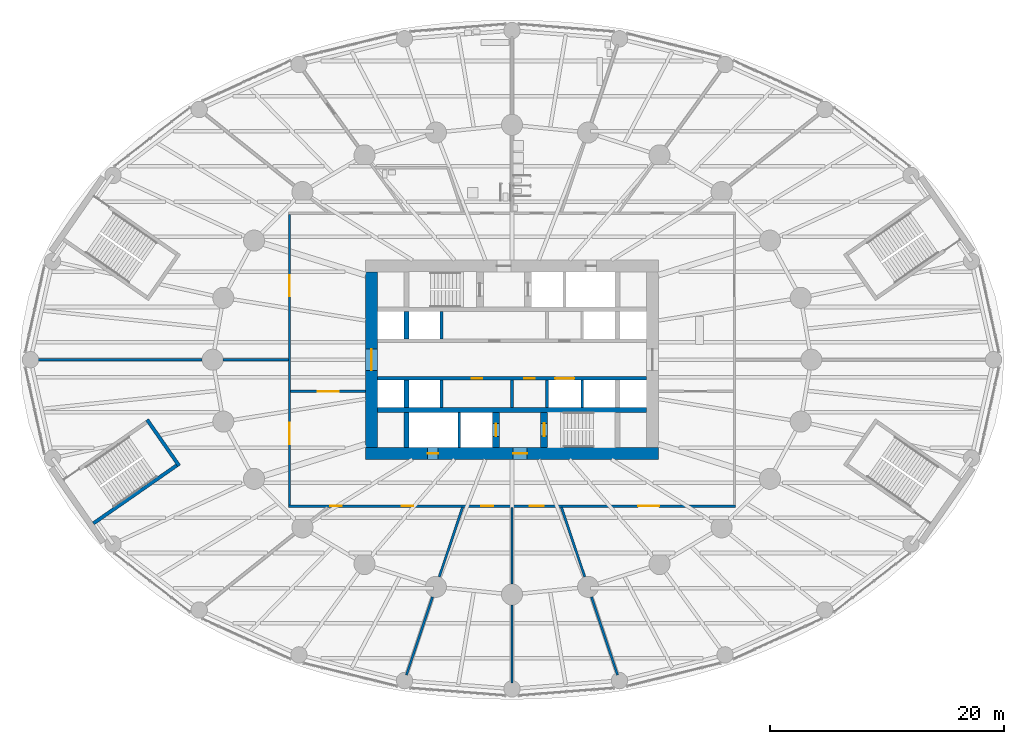
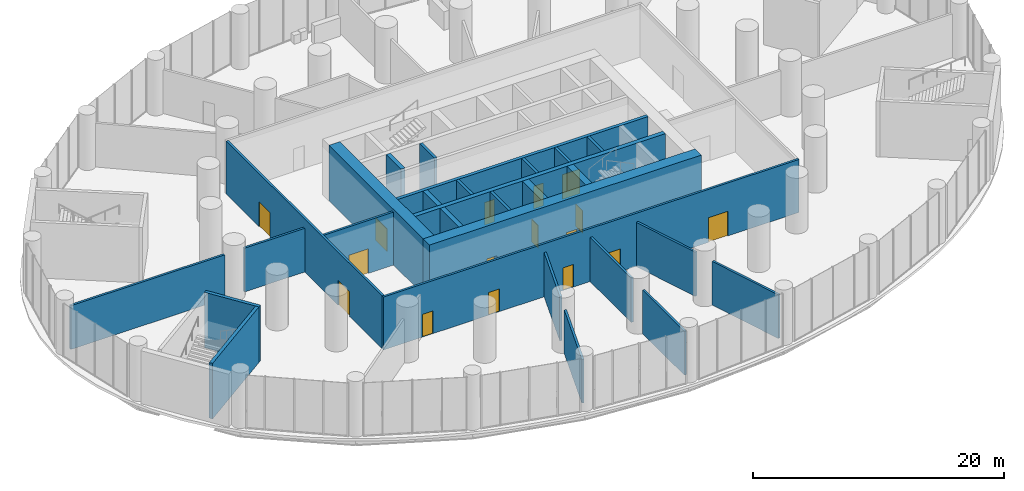
# One storey, part 16 of 23: 28 walls, 16 doors, 16 openings.
"""IFC4 building model written with IfcOpenShell, lengths in metres."""

import ifcopenshell
import ifcopenshell.guid

model = None  # the IFC model being written
_history = None  # IfcOwnerHistory: only IFC2X3 demands one
_inside = {}  # id of a spatial element -> (the spatial element, [elements in it])
_under = {}  # id of a project, library or spatial element -> (it, [spatial elements below it])
_declared = {}  # id of a project -> (the project, [libraries it declares])
_typed = {}  # id of a type object -> (the type object, [elements of that type])
_made_of = {}  # id of a material, layer set ... -> (it, [elements and type objects made of it])


def new_model(schema):
    """Start an empty IFC model of exactly this schema.

    Asked for "IFC4X3", IfcOpenShell would pick the latest addendum, in which some entities
    have other attributes; the version numbers below select the first issue.
    IFC2X3 requires an IfcOwnerHistory on every rooted entity: one is made here for all.
    """
    global model, _history
    if schema == "IFC4X3":
        model = ifcopenshell.file(schema_version=(4, 3, 0, 0))
    else:
        model = ifcopenshell.file(schema=schema)
    _inside.clear()
    _under.clear()
    _declared.clear()
    _typed.clear()
    _made_of.clear()
    _history = None
    if model.schema == "IFC2X3":
        org = make("IfcOrganization", Name="unknown")
        user = make(
            "IfcPersonAndOrganization",
            ThePerson=make("IfcPerson", FamilyName="unknown"),
            TheOrganization=org,
        )
        app = make(
            "IfcApplication",
            ApplicationDeveloper=org,
            Version="unknown",
            ApplicationFullName="unknown",
            ApplicationIdentifier="unknown",
        )
        _history = make(
            "IfcOwnerHistory",
            OwningUser=user,
            OwningApplication=app,
            ChangeAction="ADDED",
            CreationDate=0,
        )
    return model


def make(cls, **values):
    """One entity of the class cls with the attributes given. An attribute that is None is left unset."""
    return model.create_entity(
        cls, **{name: value for name, value in values.items() if value is not None}
    )


def rooted(cls, **values):
    """An entity with a GlobalId (a new one), such as an element, a storey or a relation."""
    return make(cls, GlobalId=ifcopenshell.guid.new(), OwnerHistory=_history, **values)


def si_unit(unit_type, name, prefix=None):
    """IfcSIUnit, for example si_unit("LENGTHUNIT", "METRE", prefix="MILLI")."""
    return make("IfcSIUnit", UnitType=unit_type, Prefix=prefix, Name=name)


def assignment(units):
    """IfcUnitAssignment: the units of a project."""
    return None if units is None else make("IfcUnitAssignment", Units=units)


def point(xyz):
    """IfcCartesianPoint."""
    return None if xyz is None else make("IfcCartesianPoint", Coordinates=xyz)


def direction(xyz):
    """IfcDirection."""
    return None if xyz is None else make("IfcDirection", DirectionRatios=xyz)


def frame(location, z_axis=None, x_axis=None):
    """IfcAxis2Placement3D, a coordinate frame: its origin and axes. An axis left out is left unset."""
    return make(
        "IfcAxis2Placement3D",
        Location=point(location),
        Axis=direction(z_axis),
        RefDirection=direction(x_axis),
    )


def frame_2d(location, x_axis=None):
    """IfcAxis2Placement2D, a coordinate frame in the plane: its origin and x axis."""
    return make(
        "IfcAxis2Placement2D", Location=point(location), RefDirection=direction(x_axis)
    )


def origin():
    """The frame at (0, 0, 0) with its axes left unset."""
    return frame((0.0, 0.0, 0.0))


def place(relative_to, where):
    """IfcLocalPlacement: puts the frame where relative to a parent placement (None: the world)."""
    return make(
        "IfcLocalPlacement", PlacementRelTo=relative_to, RelativePlacement=where
    )


def context(
    kind, dimensions, precision=None, world=None, true_north=None, identifier=None
):
    """IfcGeometricRepresentationContext, for example the 3D "Model" context."""
    return make(
        "IfcGeometricRepresentationContext",
        ContextIdentifier=identifier,
        ContextType=kind,
        CoordinateSpaceDimension=dimensions,
        Precision=precision,
        WorldCoordinateSystem=world,
        TrueNorth=true_north,
    )


def subcontext(parent, identifier, kind, view, scale=None):
    """IfcGeometricRepresentationSubContext, for example "Body" below "Model"."""
    return make(
        "IfcGeometricRepresentationSubContext",
        ContextIdentifier=identifier,
        ContextType=kind,
        ParentContext=parent,
        TargetScale=scale,
        TargetView=view,
    )


def project(units=None, contexts=None):
    """IfcProject with its units and contexts."""
    return rooted(
        "IfcProject",
        Name="project",
        RepresentationContexts=contexts,
        UnitsInContext=assignment(units),
    )


def spatial(cls, under=None, at=None, **own):
    """A site, building, storey or space (cls), placed at a placement, below another one or the project."""
    s = rooted(cls, ObjectPlacement=at, **own)
    if under is not None:
        _under.setdefault(under.id(), (under, []))[1].append(s)
    return s


def profile(cls, at=None, kind="AREA", **sizes):
    """A parametric profile (cls). Its sizes go by their IFC names, for example OverallWidth=200.0."""
    return make(cls, ProfileType=kind, Position=at, **sizes)


def rectangle(**sizes):
    """IfcRectangleProfileDef."""
    return profile("IfcRectangleProfileDef", **sizes)


def extrude(swept, where, along, depth):
    """IfcExtrudedAreaSolid: the profile swept, set in the frame where, extruded along a direction by depth."""
    return make(
        "IfcExtrudedAreaSolid",
        SweptArea=swept,
        Position=where,
        ExtrudedDirection=direction(along),
        Depth=depth,
    )


def shape(context_of_items, identifier, shape_type, items):
    """IfcShapeRepresentation: the items that make up one representation, for example the "Body"."""
    return make(
        "IfcShapeRepresentation",
        ContextOfItems=context_of_items,
        RepresentationIdentifier=identifier,
        RepresentationType=shape_type,
        Items=items,
    )


def material(Name=None, Category=None):
    """IfcMaterial."""
    return make("IfcMaterial", Name=Name, Category=Category)


def layer(
    of_material, thickness, ventilated=None, Name=None, Category=None, Priority=None
):
    """IfcMaterialLayer: one layer of a wall or slab, of a material (None: an air gap)."""
    return make(
        "IfcMaterialLayer",
        Material=of_material,
        LayerThickness=thickness,
        IsVentilated=ventilated,
        Name=Name,
        Category=Category,
        Priority=Priority,
    )


def layer_set(layers, Name=None):
    """IfcMaterialLayerSet."""
    return make("IfcMaterialLayerSet", MaterialLayers=layers, LayerSetName=Name)


def made_of(thing, what):
    """Note that an element or type object is made of a material, layer set ...; save() writes the relation."""
    if what is not None:
        _made_of.setdefault(what.id(), (what, []))[1].append(thing)
    return thing


def type_object(cls, material=None, **own):
    """A type object (cls), such as IfcWallType, which elements share."""
    return made_of(rooted(cls, **own), material)


def element(
    cls,
    number,
    at=None,
    inside=None,
    cuts=None,
    type_object=None,
    material=None,
    context=None,
    identifier="Body",
    shape_type=None,
    held_by="IfcProductDefinitionShape",
    body=None,
    shapes=None,
    **own,
):
    """One element of the class cls, such as IfcWall. Its Tag is "e" and its number.

    at: its placement. inside: the storey or other place that contains it. cuts: it is an
    opening in that element (IfcRelVoidsElement). A single representation is given by context,
    identifier, shape_type and body (its items); several are given by shapes. held_by: the class
    of the entity that holds the representations. save() writes the other relations.
    """
    e = rooted(cls, Tag="e%d" % number, ObjectPlacement=at, **own)
    if body is not None:
        shapes = [shape(context, identifier, shape_type, body)]
    if shapes is not None:
        e.Representation = make(held_by, Representations=shapes)
    if inside is not None:
        _inside.setdefault(inside.id(), (inside, []))[1].append(e)
    if cuts is not None:
        rooted(
            "IfcRelVoidsElement", RelatingBuildingElement=cuts, RelatedOpeningElement=e
        )
    if type_object is not None:
        _typed.setdefault(type_object.id(), (type_object, []))[1].append(e)
    return made_of(e, material)


def fill(opening, filler):
    """IfcRelFillsElement: the door or window that sits in an opening."""
    return rooted(
        "IfcRelFillsElement",
        RelatingOpeningElement=opening,
        RelatedBuildingElement=filler,
    )


def aggregate(whole, parts):
    """IfcRelAggregates: a whole, such as a stair, and the parts it consists of."""
    return rooted("IfcRelAggregates", RelatingObject=whole, RelatedObjects=parts)


def save(model, path):
    """Write the relations noted so far, then the file.

    IfcRelAggregates (storeys below a building ...), IfcRelContainedInSpatialStructure (elements
    in a storey), IfcRelDefinesByType, IfcRelAssociatesMaterial and IfcRelDeclares: one each for
    every whole, place, type object, material and project.
    """
    for whole, parts in _under.values():
        aggregate(whole, parts)
    for where, things in _inside.values():
        rooted(
            "IfcRelContainedInSpatialStructure",
            RelatedElements=things,
            RelatingStructure=where,
        )
    for kind, things in _typed.values():
        rooted("IfcRelDefinesByType", RelatedObjects=things, RelatingType=kind)
    for what, things in _made_of.values():
        rooted("IfcRelAssociatesMaterial", RelatedObjects=things, RelatingMaterial=what)
    for by, libraries in _declared.values():
        rooted("IfcRelDeclares", RelatingContext=by, RelatedDefinitions=libraries)
    model.write(path)


model = new_model("IFC4")

# Units and contexts
model_context = context("Model", 3, precision=1e-05, world=origin(), true_north=direction((0.0, 1.0)))
body_context = subcontext(model_context, "Body", "Model", "MODEL_VIEW")
ifc_project = project(units=[si_unit("LENGTHUNIT", "METRE"), si_unit("AREAUNIT", "SQUARE_METRE"), si_unit("VOLUMEUNIT", "CUBIC_METRE"), si_unit("PLANEANGLEUNIT", "RADIAN"), si_unit("MASSUNIT", "GRAM", prefix="KILO")], contexts=[model_context])

# Site, building, storey
site_placement = place(None, origin())
site = spatial("IfcSite", under=ifc_project, at=site_placement, CompositionType="ELEMENT")
building_placement = place(site_placement, origin())
building = spatial("IfcBuilding", under=site, at=building_placement, Name="Hankou Lantern Tower", CompositionType="ELEMENT")
storey_placement = place(building_placement, frame((0.0, 0.0, 19.199951171875)))
storey = spatial("IfcBuildingStorey", under=building, at=storey_placement, Name="L03", CompositionType="ELEMENT", Elevation=19.199951171875)

# Wall, openings, doors
ifc_material_1 = material(Name="Concrete C60", Category="concrete")
ifc_layer_1 = layer(ifc_material_1, 1.0)
ifc_layer_set_1 = layer_set([ifc_layer_1], Name="Concrete C60")
wall_type_1 = type_object("IfcWallType", Name="CW1 CORE WALL 1000", PredefinedType="SHEAR", material=ifc_layer_set_1)
wall_1_placement = place(storey_placement, frame((12.5, -8.0, 0.0), z_axis=(0.0, 0.0, 1.0), x_axis=(-1.0, 0.0, 0.0)))
wall_1 = element("IfcWall", 1, at=wall_1_placement, inside=storey, type_object=wall_type_1, Name="Core wall south L03", PredefinedType="SHEAR", context=body_context, shape_type="SweptSolid", body=[
    extrude(rectangle(XDim=25.0, YDim=1.0, at=frame_2d((12.5, 0.0))), origin(), (0.0, 0.0, 1.0), 5.400146484375),
])
opening_1_placement = place(wall_1_placement, frame((11.199951171875, 0.0, 0.0)))
opening_1 = element("IfcOpeningElement", 2, at=opening_1_placement, cuts=wall_1, Name="Opening D5", PredefinedType="OPENING", context=body_context, shape_type="SweptSolid", body=[
    extrude(rectangle(XDim=1.199951171875, YDim=2.199951171875, at=frame_2d((0.60009765625, 1.10009765625))), frame((0.0, 0.510009765625, 0.0), z_axis=(0.0, -1.0, 0.0), x_axis=(1.0, 0.0, 0.0)), (0.0, 0.0, 1.0), 1.02001953125),
])
opening_2_placement = place(wall_1_placement, frame((18.800048828125, 0.0, 0.0)))
opening_2 = element("IfcOpeningElement", 3, at=opening_2_placement, cuts=wall_1, Name="Opening D7", PredefinedType="OPENING", context=body_context, shape_type="SweptSolid", body=[
    extrude(rectangle(XDim=0.89990234375, YDim=2.199951171875, at=frame_2d((0.449951171875, 1.10009765625))), frame((0.0, 0.510009765625, 0.0), z_axis=(0.0, -1.0, 0.0), x_axis=(1.0, 0.0, 0.0)), (0.0, 0.0, 1.0), 1.02001953125),
])
ifc_material_2 = material(Name="Steel door leaf", Category="steel")
door_type_1 = type_object("IfcDoorType", Name="D5 STAIR LOBBY DOOR 1200X2200", OperationType="SINGLE_SWING_LEFT", PredefinedType="DOOR", material=ifc_material_2)
door_1_placement = place(opening_1_placement, origin())
door_1 = element("IfcDoor", 4, at=door_1_placement, inside=storey, type_object=door_type_1, Name="Stair B lobby door", OperationType="SINGLE_SWING_LEFT", OverallHeight=2.199951171875, OverallWidth=1.199951171875, PredefinedType="DOOR", context=body_context, shape_type="SweptSolid", body=[
    extrude(rectangle(XDim=1.199951171875, YDim=2.199951171875, at=frame_2d((0.60009765625, 1.10009765625))), frame((0.0, 0.02490234375, 0.0), z_axis=(0.0, -1.0, 0.0), x_axis=(1.0, 0.0, 0.0)), (0.0, 0.0, 1.0), 0.050048828125),
])
fill(opening_1, door_1)
ifc_material_3 = material(Name="Steel door leaf", Category="steel")
door_type_2 = type_object("IfcDoorType", Name="D7 RISER DOOR 900X2200", OperationType="SINGLE_SWING_LEFT", PredefinedType="DOOR", material=ifc_material_3)
door_2_placement = place(opening_2_placement, origin())
door_2 = element("IfcDoor", 5, at=door_2_placement, inside=storey, type_object=door_type_2, Name="Riser S1 door", OperationType="SINGLE_SWING_RIGHT", OverallHeight=2.199951171875, OverallWidth=0.89990234375, PredefinedType="DOOR", context=body_context, shape_type="SweptSolid", body=[
    extrude(rectangle(XDim=0.89990234375, YDim=2.199951171875, at=frame_2d((0.449951171875, 1.10009765625))), frame((0.0, 0.02490234375, 0.0), z_axis=(0.0, -1.0, 0.0), x_axis=(1.0, 0.0, 0.0)), (0.0, 0.0, 1.0), 0.050048828125),
])
fill(opening_2, door_2)

# Wall, opening, door
wall_2_placement = place(storey_placement, frame((-12.0, 7.5, 0.0), z_axis=(0.0, 0.0, 1.0), x_axis=(0.0, -1.0, 0.0)))
wall_2 = element("IfcWall", 6, at=wall_2_placement, inside=storey, type_object=wall_type_1, Name="Core wall west L03", PredefinedType="SHEAR", context=body_context, shape_type="SweptSolid", body=[
    extrude(rectangle(XDim=15.0, YDim=1.0, at=frame_2d((7.5, 0.0))), origin(), (0.0, 0.0, 1.0), 5.400146484375),
])
opening_3_placement = place(wall_2_placement, frame((6.60009765625, 0.0, 0.0)))
opening_3 = element("IfcOpeningElement", 7, at=opening_3_placement, cuts=wall_2, Name="Opening D6", PredefinedType="OPENING", context=body_context, shape_type="SweptSolid", body=[
    extrude(rectangle(XDim=1.800048828125, YDim=2.199951171875, at=frame_2d((0.89990234375, 1.10009765625))), frame((0.0, 0.510009765625, 0.0), z_axis=(0.0, -1.0, 0.0), x_axis=(1.0, 0.0, 0.0)), (0.0, 0.0, 1.0), 1.02001953125),
])
ifc_material_4 = material(Name="Steel door leaf", Category="steel")
door_type_3 = type_object("IfcDoorType", Name="D6 LIFT LOBBY DOOR 1800X2200", OperationType="DOUBLE_DOOR_DOUBLE_SWING", PredefinedType="DOOR", material=ifc_material_4)
door_3_placement = place(opening_3_placement, origin())
door_3 = element("IfcDoor", 8, at=door_3_placement, inside=storey, type_object=door_type_3, Name="Lift lobby west door", OperationType="DOUBLE_DOOR_DOUBLE_SWING", OverallHeight=2.199951171875, OverallWidth=1.800048828125, PredefinedType="DOOR", context=body_context, shape_type="SweptSolid", body=[
    extrude(rectangle(XDim=1.800048828125, YDim=2.199951171875, at=frame_2d((0.89990234375, 1.10009765625))), frame((0.0, 0.02490234375, 0.0), z_axis=(0.0, -1.0, 0.0), x_axis=(1.0, 0.0, 0.0)), (0.0, 0.0, 1.0), 0.050048828125),
])
fill(opening_3, door_3)

# Walls
ifc_material_5 = material(Name="Concrete C60", Category="concrete")
ifc_layer_2 = layer(ifc_material_5, 0.39990234375)
ifc_layer_set_2 = layer_set([ifc_layer_2], Name="Concrete C60")
wall_type_2 = type_object("IfcWallType", Name="CW4 CORE CROSS WALL 400", PredefinedType="SHEAR", material=ifc_layer_set_2)
wall_3_placement = place(storey_placement, frame((-11.5, -4.300048828125, 0.0), z_axis=(0.0, 0.0, 1.0), x_axis=(1.0, 0.0, 0.0)))
element("IfcWall", 9, at=wall_3_placement, inside=storey, type_object=wall_type_2, Name="Core band wall south L03", PredefinedType="SHEAR", context=body_context, shape_type="SweptSolid", body=[
    extrude(rectangle(XDim=23.0, YDim=0.39990234375, at=frame_2d((11.5, 0.0))), origin(), (0.0, 0.0, 1.0), 5.400146484375),
])
for number, where, z_axis, x_axis, name in (
    (10, (-9.0, 1.75, 0.0), (0.0, 0.0, 1.0), (0.0, 1.0, 0.0), "Core strip wall L03"),
    (11, (-9.0, -4.10009765625, 0.0), (0.0, 0.0, 1.0), (0.0, 1.0, 0.0), "Core strip wall L03"),
):
    element("IfcWall", number, at=place(storey_placement, frame(where, z_axis=z_axis, x_axis=x_axis)), inside=storey, type_object=wall_type_2, Name=name, PredefinedType="SHEAR", context=body_context, shape_type="SweptSolid", body=[
        extrude(rectangle(XDim=2.35009765625, YDim=0.39990234375, at=frame_2d((1.175048828125, 0.0))), origin(), (0.0, 0.0, 1.0), 5.400146484375),
    ])
wall_4_placement = place(storey_placement, frame((-9.0, -7.5, 0.0), z_axis=(0.0, 0.0, 1.0), x_axis=(0.0, 1.0, 0.0)))
element("IfcWall", 12, at=wall_4_placement, inside=storey, type_object=wall_type_2, Name="Core strip wall L03", PredefinedType="SHEAR", context=body_context, shape_type="SweptSolid", body=[
    extrude(rectangle(XDim=3.0, YDim=0.39990234375, at=frame_2d((1.5, 0.0))), origin(), (0.0, 0.0, 1.0), 5.400146484375),
])

# Wall, openings, doors
ifc_material_6 = material(Name="Concrete C60", Category="concrete")
ifc_layer_3 = layer(ifc_material_6, 0.300048828125)
ifc_layer_set_3 = layer_set([ifc_layer_3], Name="Concrete C60")
wall_type_3 = type_object("IfcWallType", Name="CW5 LIFT LOBBY WALL 300", PredefinedType="SHEAR", material=ifc_layer_set_3)
wall_5_placement = place(storey_placement, frame((-11.5, -1.60009765625, 0.0), z_axis=(0.0, 0.0, 1.0), x_axis=(1.0, 0.0, 0.0)))
wall_5 = element("IfcWall", 13, at=wall_5_placement, inside=storey, type_object=wall_type_3, Name="Lift lobby wall south L03", PredefinedType="SHEAR", context=body_context, shape_type="SweptSolid", body=[
    extrude(rectangle(XDim=23.0, YDim=0.300048828125, at=frame_2d((11.5, 0.0))), origin(), (0.0, 0.0, 1.0), 5.400146484375),
])
opening_4_placement = place(wall_5_placement, frame((15.199951171875, 0.0, 0.0)))
opening_4 = element("IfcOpeningElement", 14, at=opening_4_placement, cuts=wall_5, Name="Opening LD4", PredefinedType="OPENING", context=body_context, shape_type="SweptSolid", body=[
    extrude(rectangle(XDim=1.60009765625, YDim=2.39990234375, at=frame_2d((0.800048828125, 1.199951171875))), frame((0.0, 0.159912109375, 0.0), z_axis=(0.0, -1.0, 0.0), x_axis=(1.0, 0.0, 0.0)), (0.0, 0.0, 1.0), 0.320068359375),
])
opening_5_placement = place(wall_5_placement, frame((8.050048828125, 0.0, 0.0)))
opening_5 = element("IfcOpeningElement", 15, at=opening_5_placement, cuts=wall_5, Name="Opening D30", PredefinedType="OPENING", context=body_context, shape_type="SweptSolid", body=[
    extrude(rectangle(XDim=0.89990234375, YDim=2.199951171875, at=frame_2d((0.449951171875, 1.10009765625))), frame((0.0, 0.159912109375, 0.0), z_axis=(0.0, -1.0, 0.0), x_axis=(1.0, 0.0, 0.0)), (0.0, 0.0, 1.0), 0.320068359375),
])
opening_6_placement = place(wall_5_placement, frame((12.550048828125, 0.0, 0.0)))
opening_6 = element("IfcOpeningElement", 16, at=opening_6_placement, cuts=wall_5, Name="Opening D30", PredefinedType="OPENING", context=body_context, shape_type="SweptSolid", body=[
    extrude(rectangle(XDim=0.89990234375, YDim=2.199951171875, at=frame_2d((0.449951171875, 1.10009765625))), frame((0.0, 0.159912109375, 0.0), z_axis=(0.0, -1.0, 0.0), x_axis=(1.0, 0.0, 0.0)), (0.0, 0.0, 1.0), 0.320068359375),
])
ifc_material_7 = material(Name="Steel door leaf", Category="steel")
door_type_4 = type_object("IfcDoorType", Name="D30 CORE ROOM DOOR 900X2200", OperationType="SINGLE_SWING_LEFT", PredefinedType="DOOR", material=ifc_material_7)
door_4_placement = place(opening_5_placement, origin())
door_4 = element("IfcDoor", 17, at=door_4_placement, inside=storey, type_object=door_type_4, Name="Cleaner's store door", OperationType="SINGLE_SWING_LEFT", OverallHeight=2.199951171875, OverallWidth=0.89990234375, PredefinedType="DOOR", context=body_context, shape_type="SweptSolid", body=[
    extrude(rectangle(XDim=0.89990234375, YDim=2.199951171875, at=frame_2d((0.449951171875, 1.10009765625))), frame((0.0, 0.02490234375, 0.0), z_axis=(0.0, -1.0, 0.0), x_axis=(1.0, 0.0, 0.0)), (0.0, 0.0, 1.0), 0.050048828125),
])
fill(opening_5, door_4)
door_5_placement = place(opening_6_placement, origin())
door_5 = element("IfcDoor", 18, at=door_5_placement, inside=storey, type_object=door_type_4, Name="IT and telecoms room door", OperationType="SINGLE_SWING_RIGHT", OverallHeight=2.199951171875, OverallWidth=0.89990234375, PredefinedType="DOOR", context=body_context, shape_type="SweptSolid", body=[
    extrude(rectangle(XDim=0.89990234375, YDim=2.199951171875, at=frame_2d((0.449951171875, 1.10009765625))), frame((0.0, 0.02490234375, 0.0), z_axis=(0.0, -1.0, 0.0), x_axis=(1.0, 0.0, 0.0)), (0.0, 0.0, 1.0), 0.050048828125),
])
fill(opening_6, door_5)
ifc_material_8 = material(Name="Steel door leaf", Category="steel")
door_type_5 = type_object("IfcDoorType", Name="LD4 SERVICE LIFT LANDING DOOR 1600X2400", OperationType="DOUBLE_DOOR_SLIDING", PredefinedType="DOOR", material=ifc_material_8)
door_6_placement = place(opening_4_placement, origin())
door_6 = element("IfcDoor", 19, at=door_6_placement, inside=storey, type_object=door_type_5, Name="Lift SV1 landing door", OperationType="DOUBLE_DOOR_SLIDING", OverallHeight=2.39990234375, OverallWidth=1.60009765625, PredefinedType="DOOR", context=body_context, shape_type="SweptSolid", body=[
    extrude(rectangle(XDim=1.60009765625, YDim=2.39990234375, at=frame_2d((0.800048828125, 1.199951171875))), frame((0.0, 0.02490234375, 0.0), z_axis=(0.0, -1.0, 0.0), x_axis=(1.0, 0.0, 0.0)), (0.0, 0.0, 1.0), 0.050048828125),
])
fill(opening_4, door_6)

# Wall, opening, door
ifc_material_9 = material(Name="Concrete C60", Category="concrete")
ifc_layer_4 = layer(ifc_material_9, 0.60009765625)
ifc_layer_set_4 = layer_set([ifc_layer_4], Name="Concrete C60")
wall_type_4 = type_object("IfcWallType", Name="CW6 STAIR AND SHAFT WALL 600", PredefinedType="SHEAR", material=ifc_layer_set_4)
wall_6_placement = place(storey_placement, frame((2.75, -7.5, 0.0), z_axis=(0.0, 0.0, 1.0), x_axis=(0.0, 1.0, 0.0)))
wall_6 = element("IfcWall", 20, at=wall_6_placement, inside=storey, type_object=wall_type_4, Name="Stair wall L03", PredefinedType="SHEAR", context=body_context, shape_type="SweptSolid", body=[
    extrude(rectangle(XDim=3.0, YDim=0.60009765625, at=frame_2d((1.5, 0.0))), origin(), (0.0, 0.0, 1.0), 5.400146484375),
])
opening_7_placement = place(wall_6_placement, frame((0.97509765625, 0.0, 0.0)))
opening_7 = element("IfcOpeningElement", 21, at=opening_7_placement, cuts=wall_6, Name="Opening D4", PredefinedType="OPENING", context=body_context, shape_type="SweptSolid", body=[
    extrude(rectangle(XDim=1.10009765625, YDim=2.199951171875, at=frame_2d((0.550048828125, 1.10009765625))), frame((0.0, 0.31005859375, 0.0), z_axis=(0.0, -1.0, 0.0), x_axis=(1.0, 0.0, 0.0)), (0.0, 0.0, 1.0), 0.6201171875),
])
ifc_material_10 = material(Name="Steel door leaf", Category="steel")
door_type_6 = type_object("IfcDoorType", Name="D4 STAIR DOOR 1100X2200", OperationType="SINGLE_SWING_LEFT", PredefinedType="DOOR", material=ifc_material_10)
door_7_placement = place(opening_7_placement, origin())
door_7 = element("IfcDoor", 22, at=door_7_placement, inside=storey, type_object=door_type_6, Name="Stair B door", OperationType="SINGLE_SWING_RIGHT", OverallHeight=2.199951171875, OverallWidth=1.10009765625, PredefinedType="DOOR", context=body_context, shape_type="SweptSolid", body=[
    extrude(rectangle(XDim=1.10009765625, YDim=2.199951171875, at=frame_2d((0.550048828125, 1.10009765625))), frame((0.0, 0.02490234375, 0.0), z_axis=(0.0, -1.0, 0.0), x_axis=(1.0, 0.0, 0.0)), (0.0, 0.0, 1.0), 0.050048828125),
])
fill(opening_7, door_7)

wall_7_placement = place(storey_placement, frame((-1.35009765625, -7.5, 0.0), z_axis=(0.0, 0.0, 1.0), x_axis=(0.0, 1.0, 0.0)))
wall_7 = element("IfcWall", 23, at=wall_7_placement, inside=storey, type_object=wall_type_4, Name="Firefighting lift shaft wall L03", PredefinedType="SHEAR", context=body_context, shape_type="SweptSolid", body=[
    extrude(rectangle(XDim=3.0, YDim=0.60009765625, at=frame_2d((1.5, 0.0))), origin(), (0.0, 0.0, 1.0), 5.400146484375),
])
opening_8_placement = place(wall_7_placement, frame((0.949951171875, 0.0, 0.0)))
opening_8 = element("IfcOpeningElement", 24, at=opening_8_placement, cuts=wall_7, Name="Opening LD2", PredefinedType="OPENING", context=body_context, shape_type="SweptSolid", body=[
    extrude(rectangle(XDim=1.10009765625, YDim=2.199951171875, at=frame_2d((0.550048828125, 1.10009765625))), frame((0.0, 0.31005859375, 0.0), z_axis=(0.0, -1.0, 0.0), x_axis=(1.0, 0.0, 0.0)), (0.0, 0.0, 1.0), 0.6201171875),
])
ifc_material_11 = material(Name="Steel door leaf", Category="steel")
door_type_7 = type_object("IfcDoorType", Name="LD2 FIREFIGHTING LIFT LANDING DOOR 1100X2200", OperationType="DOUBLE_DOOR_SLIDING", PredefinedType="DOOR", material=ifc_material_11)
door_8_placement = place(opening_8_placement, origin())
door_8 = element("IfcDoor", 25, at=door_8_placement, inside=storey, type_object=door_type_7, Name="Firefighting lift FL2 landing door", OperationType="DOUBLE_DOOR_SLIDING", OverallHeight=2.199951171875, OverallWidth=1.10009765625, PredefinedType="DOOR", context=body_context, shape_type="SweptSolid", body=[
    extrude(rectangle(XDim=1.10009765625, YDim=2.199951171875, at=frame_2d((0.550048828125, 1.10009765625))), frame((0.0, 0.02490234375, 0.0), z_axis=(0.0, -1.0, 0.0), x_axis=(1.0, 0.0, 0.0)), (0.0, 0.0, 1.0), 0.050048828125),
])
fill(opening_8, door_8)

# Walls
ifc_material_12 = material(Name="Concrete C50", Category="concrete")
ifc_layer_5 = layer(ifc_material_12, 0.300048828125)
ifc_layer_set_5 = layer_set([ifc_layer_5], Name="Concrete C50")
wall_type_5 = type_object("IfcWallType", Name="CW7 PODIUM STAIR WALL 300", PredefinedType="SHEAR", material=ifc_layer_set_5)
wall_8_placement = place(storey_placement, frame((-35.7294921875, -13.968017578125, 0.0), z_axis=(0.0, 0.0, 1.0), x_axis=(0.82092761123, 0.571032273274, 0.0)))
element("IfcWall", 26, at=wall_8_placement, inside=storey, type_object=wall_type_5, Name="Podium stair P3 wall", PredefinedType="SHEAR", context=body_context, shape_type="SweptSolid", body=[
    extrude(rectangle(XDim=8.659912109375, YDim=0.300048828125, at=frame_2d((4.330078125, 0.0))), origin(), (0.0, 0.0, 1.0), 5.400146484375),
])
wall_9_placement = place(storey_placement, frame((-31.152587890625, -5.119873046875, 0.0), z_axis=(0.0, 0.0, 1.0), x_axis=(0.571036173178, -0.820924898467, 0.0)))
element("IfcWall", 27, at=wall_9_placement, inside=storey, type_object=wall_type_5, Name="Podium stair P3 wall", PredefinedType="SHEAR", context=body_context, shape_type="SweptSolid", body=[
    extrude(rectangle(XDim=4.800048828125, YDim=0.300048828125, at=frame_2d((2.39990234375, 0.0))), origin(), (0.0, 0.0, 1.0), 5.400146484375),
])

# Wall, openings, doors
ifc_material_13 = material(Name="Masonry dense concrete block", Category="masonry")
ifc_layer_6 = layer(ifc_material_13, 0.199951171875)
ifc_layer_set_6 = layer_set([ifc_layer_6], Name="Masonry dense concrete block")
wall_type_6 = type_object("IfcWallType", Name="FW1 COMPARTMENT FIRE WALL 200", PredefinedType="PARTITIONING", material=ifc_layer_set_6)
wall_10_placement = place(storey_placement, frame((-19.0, 12.39990234375, 0.0), z_axis=(0.0, 0.0, 1.0), x_axis=(0.0, -1.0, 0.0)))
wall_10 = element("IfcWall", 28, at=wall_10_placement, inside=storey, type_object=wall_type_6, Name="Foyer fire wall west", PredefinedType="PARTITIONING", context=body_context, shape_type="SweptSolid", body=[
    extrude(rectangle(XDim=24.7998046875, YDim=0.199951171875, at=frame_2d((12.39990234375, 0.0))), origin(), (0.0, 0.0, 1.0), 5.150146484375),
])
opening_9_placement = place(wall_10_placement, frame((5.199951171875, 0.0, 0.0)))
opening_9 = element("IfcOpeningElement", 29, at=opening_9_placement, cuts=wall_10, Name="Opening D36", PredefinedType="OPENING", context=body_context, shape_type="SweptSolid", body=[
    extrude(rectangle(XDim=1.800048828125, YDim=2.39990234375, at=frame_2d((0.89990234375, 1.199951171875))), frame((0.0, 0.10986328125, 0.0), z_axis=(0.0, -1.0, 0.0), x_axis=(1.0, 0.0, 0.0)), (0.0, 0.0, 1.0), 0.219970703125),
])
opening_10_placement = place(wall_10_placement, frame((17.800048828125, 0.0, 0.0)))
opening_10 = element("IfcOpeningElement", 30, at=opening_10_placement, cuts=wall_10, Name="Opening D36", PredefinedType="OPENING", context=body_context, shape_type="SweptSolid", body=[
    extrude(rectangle(XDim=1.800048828125, YDim=2.39990234375, at=frame_2d((0.89990234375, 1.199951171875))), frame((0.0, 0.10986328125, 0.0), z_axis=(0.0, -1.0, 0.0), x_axis=(1.0, 0.0, 0.0)), (0.0, 0.0, 1.0), 0.219970703125),
])
ifc_material_14 = material(Name="Steel door leaf", Category="steel")
door_type_8 = type_object("IfcDoorType", Name="D36 CLASS A DOUBLE DOOR 1800X2400", OperationType="DOUBLE_DOOR_DOUBLE_SWING", PredefinedType="DOOR", material=ifc_material_14)
door_9_placement = place(opening_9_placement, origin())
door_9 = element("IfcDoor", 31, at=door_9_placement, inside=storey, type_object=door_type_8, Name="Relaxation lounge door", OperationType="DOUBLE_DOOR_DOUBLE_SWING", OverallHeight=2.39990234375, OverallWidth=1.800048828125, PredefinedType="DOOR", context=body_context, shape_type="SweptSolid", body=[
    extrude(rectangle(XDim=1.800048828125, YDim=2.39990234375, at=frame_2d((0.89990234375, 1.199951171875))), frame((0.0, 0.02490234375, 0.0), z_axis=(0.0, -1.0, 0.0), x_axis=(1.0, 0.0, 0.0)), (0.0, 0.0, 1.0), 0.050048828125),
])
fill(opening_9, door_9)
door_10_placement = place(opening_10_placement, origin())
door_10 = element("IfcDoor", 32, at=door_10_placement, inside=storey, type_object=door_type_8, Name="Yoga studio door", OperationType="DOUBLE_DOOR_DOUBLE_SWING", OverallHeight=2.39990234375, OverallWidth=1.800048828125, PredefinedType="DOOR", context=body_context, shape_type="SweptSolid", body=[
    extrude(rectangle(XDim=1.800048828125, YDim=2.39990234375, at=frame_2d((0.89990234375, 1.199951171875))), frame((0.0, 0.02490234375, 0.0), z_axis=(0.0, -1.0, 0.0), x_axis=(1.0, 0.0, 0.0)), (0.0, 0.0, 1.0), 0.050048828125),
])
fill(opening_10, door_10)

# Walls
wall_11_placement = place(storey_placement, frame((-19.10009765625, 0.0, 0.0), z_axis=(0.0, 0.0, 1.0), x_axis=(-1.0, 0.0, 0.0)))
element("IfcWall", 33, at=wall_11_placement, inside=storey, type_object=wall_type_6, Name="Fire wall R13", PredefinedType="PARTITIONING", context=body_context, shape_type="SweptSolid", body=[
    extrude(rectangle(XDim=5.5498046875, YDim=0.199951171875, at=frame_2d((2.77490234375, 0.0))), origin(), (0.0, 0.0, 1.0), 4.25),
])
wall_12_placement = place(storey_placement, frame((-26.449951171875, 0.0, 0.0), z_axis=(0.0, 0.0, 1.0), x_axis=(-1.0, 0.0, 0.0)))
element("IfcWall", 34, at=wall_12_placement, inside=storey, type_object=wall_type_6, Name="Fire wall R13", PredefinedType="PARTITIONING", context=body_context, shape_type="SweptSolid", body=[
    extrude(rectangle(XDim=14.150146484375, YDim=0.199951171875, at=frame_2d((7.0751953125, 0.0))), origin(), (0.0, 0.0, 1.0), 4.25),
])

# Wall, opening, door
wall_13_placement = place(storey_placement, frame((-18.89990234375, -2.699951171875, 0.0), z_axis=(0.0, 0.0, 1.0), x_axis=(1.0, 0.0, 0.0)))
wall_13 = element("IfcWall", 35, at=wall_13_placement, inside=storey, type_object=wall_type_6, Name="Fire wall R13 across the foyer", PredefinedType="PARTITIONING", context=body_context, shape_type="SweptSolid", body=[
    extrude(rectangle(XDim=6.39990234375, YDim=0.199951171875, at=frame_2d((3.199951171875, 0.0))), origin(), (0.0, 0.0, 1.0), 5.150146484375),
])
opening_11_placement = place(wall_13_placement, frame((2.300048828125, 0.0, 0.0)))
opening_11 = element("IfcOpeningElement", 36, at=opening_11_placement, cuts=wall_13, Name="Opening D36", PredefinedType="OPENING", context=body_context, shape_type="SweptSolid", body=[
    extrude(rectangle(XDim=1.800048828125, YDim=2.39990234375, at=frame_2d((0.89990234375, 1.199951171875))), frame((0.0, 0.10986328125, 0.0), z_axis=(0.0, -1.0, 0.0), x_axis=(1.0, 0.0, 0.0)), (0.0, 0.0, 1.0), 0.219970703125),
])
door_11_placement = place(opening_11_placement, origin())
door_11 = element("IfcDoor", 37, at=door_11_placement, inside=storey, type_object=door_type_8, Name="Fire wall R13 door", OperationType="DOUBLE_DOOR_DOUBLE_SWING", OverallHeight=2.39990234375, OverallWidth=1.800048828125, PredefinedType="DOOR", context=body_context, shape_type="SweptSolid", body=[
    extrude(rectangle(XDim=1.800048828125, YDim=2.39990234375, at=frame_2d((0.89990234375, 1.199951171875))), frame((0.0, 0.02490234375, 0.0), z_axis=(0.0, -1.0, 0.0), x_axis=(1.0, 0.0, 0.0)), (0.0, 0.0, 1.0), 0.050048828125),
])
fill(opening_11, door_11)

# Wall, openings, doors
ifc_material_15 = material(Name="Masonry lightweight concrete block", Category="masonry")
ifc_layer_7 = layer(ifc_material_15, 0.199951171875)
ifc_layer_set_7 = layer_set([ifc_layer_7], Name="Masonry lightweight concrete block")
wall_type_7 = type_object("IfcWallType", Name="IW2 CORRIDOR WALL 200", PredefinedType="PARTITIONING", material=ifc_layer_set_7)
wall_14_placement = place(storey_placement, frame((19.10009765625, -12.5, 0.0), z_axis=(0.0, 0.0, 1.0), x_axis=(-1.0, 0.0, 0.0)))
wall_14 = element("IfcWall", 38, at=wall_14_placement, inside=storey, type_object=wall_type_7, Name="Foyer wall south", PredefinedType="PARTITIONING", context=body_context, shape_type="SweptSolid", body=[
    extrude(rectangle(XDim=38.2001953125, YDim=0.199951171875, at=frame_2d((19.10009765625, 0.0))), origin(), (0.0, 0.0, 1.0), 5.150146484375),
])
opening_12_placement = place(wall_14_placement, frame((6.539794921875, 0.0, 0.0)))
opening_12 = element("IfcOpeningElement", 39, at=opening_12_placement, cuts=wall_14, Name="Opening D8", PredefinedType="OPENING", context=body_context, shape_type="SweptSolid", body=[
    extrude(rectangle(XDim=1.800048828125, YDim=2.39990234375, at=frame_2d((0.89990234375, 1.199951171875))), frame((0.0, 0.10986328125, 0.0), z_axis=(0.0, -1.0, 0.0), x_axis=(1.0, 0.0, 0.0)), (0.0, 0.0, 1.0), 0.219970703125),
])
opening_13_placement = place(wall_14_placement, frame((27.520263671875, 0.0, 0.0)))
opening_13 = element("IfcOpeningElement", 40, at=opening_13_placement, cuts=wall_14, Name="Opening D13", PredefinedType="OPENING", context=body_context, shape_type="SweptSolid", body=[
    extrude(rectangle(XDim=1.0, YDim=2.199951171875, at=frame_2d((0.5, 1.10009765625))), frame((0.0, 0.10986328125, 0.0), z_axis=(0.0, -1.0, 0.0), x_axis=(1.0, 0.0, 0.0)), (0.0, 0.0, 1.0), 0.219970703125),
])
opening_14_placement = place(wall_14_placement, frame((20.710205078125, 0.0, 0.0)))
opening_14 = element("IfcOpeningElement", 41, at=opening_14_placement, cuts=wall_14, Name="Opening D13", PredefinedType="OPENING", context=body_context, shape_type="SweptSolid", body=[
    extrude(rectangle(XDim=1.0, YDim=2.199951171875, at=frame_2d((0.5, 1.10009765625))), frame((0.0, 0.10986328125, 0.0), z_axis=(0.0, -1.0, 0.0), x_axis=(1.0, 0.0, 0.0)), (0.0, 0.0, 1.0), 0.219970703125),
])
opening_15_placement = place(wall_14_placement, frame((16.389892578125, 0.0, 0.0)))
opening_15 = element("IfcOpeningElement", 42, at=opening_15_placement, cuts=wall_14, Name="Opening D23", PredefinedType="OPENING", context=body_context, shape_type="SweptSolid", body=[
    extrude(rectangle(XDim=1.199951171875, YDim=2.199951171875, at=frame_2d((0.60009765625, 1.10009765625))), frame((0.0, 0.10986328125, 0.0), z_axis=(0.0, -1.0, 0.0), x_axis=(1.0, 0.0, 0.0)), (0.0, 0.0, 1.0), 0.219970703125),
])
opening_16_placement = place(wall_14_placement, frame((33.6201171875, 0.0, 0.0)))
opening_16 = element("IfcOpeningElement", 43, at=opening_16_placement, cuts=wall_14, Name="Opening D13", PredefinedType="OPENING", context=body_context, shape_type="SweptSolid", body=[
    extrude(rectangle(XDim=1.0, YDim=2.199951171875, at=frame_2d((0.5, 1.10009765625))), frame((0.0, 0.10986328125, 0.0), z_axis=(0.0, -1.0, 0.0), x_axis=(1.0, 0.0, 0.0)), (0.0, 0.0, 1.0), 0.219970703125),
])
ifc_material_16 = material(Name="Timber door leaf", Category="wood")
door_type_9 = type_object("IfcDoorType", Name="D13 ROOM DOOR 1000X2200", OperationType="SINGLE_SWING_LEFT", PredefinedType="DOOR", material=ifc_material_16)
door_12_placement = place(opening_13_placement, origin())
door_12 = element("IfcDoor", 44, at=door_12_placement, inside=storey, type_object=door_type_9, Name="Steam and sauna room door", OperationType="SINGLE_SWING_LEFT", OverallHeight=2.199951171875, OverallWidth=1.0, PredefinedType="DOOR", context=body_context, shape_type="SweptSolid", body=[
    extrude(rectangle(XDim=1.0, YDim=2.199951171875, at=frame_2d((0.5, 1.10009765625))), frame((0.0, 0.02490234375, 0.0), z_axis=(0.0, -1.0, 0.0), x_axis=(1.0, 0.0, 0.0)), (0.0, 0.0, 1.0), 0.050048828125),
])
fill(opening_13, door_12)
door_13_placement = place(opening_14_placement, origin())
door_13 = element("IfcDoor", 45, at=door_13_placement, inside=storey, type_object=door_type_9, Name="Treatment room 304 door", OperationType="SINGLE_SWING_RIGHT", OverallHeight=2.199951171875, OverallWidth=1.0, PredefinedType="DOOR", context=body_context, shape_type="SweptSolid", body=[
    extrude(rectangle(XDim=1.0, YDim=2.199951171875, at=frame_2d((0.5, 1.10009765625))), frame((0.0, 0.02490234375, 0.0), z_axis=(0.0, -1.0, 0.0), x_axis=(1.0, 0.0, 0.0)), (0.0, 0.0, 1.0), 0.050048828125),
])
fill(opening_14, door_13)
door_14_placement = place(opening_16_placement, origin())
door_14 = element("IfcDoor", 46, at=door_14_placement, inside=storey, type_object=door_type_9, Name="Steam and sauna room second door", OperationType="SINGLE_SWING_LEFT", OverallHeight=2.199951171875, OverallWidth=1.0, PredefinedType="DOOR", context=body_context, shape_type="SweptSolid", body=[
    extrude(rectangle(XDim=1.0, YDim=2.199951171875, at=frame_2d((0.5, 1.10009765625))), frame((0.0, 0.02490234375, 0.0), z_axis=(0.0, -1.0, 0.0), x_axis=(1.0, 0.0, 0.0)), (0.0, 0.0, 1.0), 0.050048828125),
])
fill(opening_16, door_14)
ifc_material_17 = material(Name="Steel door leaf", Category="steel")
door_type_10 = type_object("IfcDoorType", Name="D23 WIDE STORE DOOR 1200X2200", OperationType="SINGLE_SWING_LEFT", PredefinedType="DOOR", material=ifc_material_17)
door_15_placement = place(opening_15_placement, origin())
door_15 = element("IfcDoor", 47, at=door_15_placement, inside=storey, type_object=door_type_10, Name="Spa store door", OperationType="SINGLE_SWING_LEFT", OverallHeight=2.199951171875, OverallWidth=1.199951171875, PredefinedType="DOOR", context=body_context, shape_type="SweptSolid", body=[
    extrude(rectangle(XDim=1.199951171875, YDim=2.199951171875, at=frame_2d((0.60009765625, 1.10009765625))), frame((0.0, 0.02490234375, 0.0), z_axis=(0.0, -1.0, 0.0), x_axis=(1.0, 0.0, 0.0)), (0.0, 0.0, 1.0), 0.050048828125),
])
fill(opening_15, door_15)
ifc_material_18 = material(Name="Steel door leaf", Category="steel")
door_type_11 = type_object("IfcDoorType", Name="D8 DOUBLE DOOR 1800X2400", OperationType="DOUBLE_DOOR_DOUBLE_SWING", PredefinedType="DOOR", material=ifc_material_18)
door_16_placement = place(opening_12_placement, origin())
door_16 = element("IfcDoor", 48, at=door_16_placement, inside=storey, type_object=door_type_11, Name="Fitness studio and gym door", OperationType="DOUBLE_DOOR_DOUBLE_SWING", OverallHeight=2.39990234375, OverallWidth=1.800048828125, PredefinedType="DOOR", context=body_context, shape_type="SweptSolid", body=[
    extrude(rectangle(XDim=1.800048828125, YDim=2.39990234375, at=frame_2d((0.89990234375, 1.199951171875))), frame((0.0, 0.02490234375, 0.0), z_axis=(0.0, -1.0, 0.0), x_axis=(1.0, 0.0, 0.0)), (0.0, 0.0, 1.0), 0.050048828125),
])
fill(opening_12, door_16)

# Walls
ifc_material_19 = material(Name="Masonry lightweight concrete block", Category="masonry")
ifc_layer_8 = layer(ifc_material_19, 0.199951171875)
ifc_layer_set_8 = layer_set([ifc_layer_8], Name="Masonry lightweight concrete block")
wall_type_8 = type_object("IfcWallType", Name="IW8 PARTITION 200", PredefinedType="PARTITIONING", material=ifc_layer_set_8)
wall_15_placement = place(storey_placement, frame((-4.22021484375, -12.60009765625, 0.0), z_axis=(0.0, 0.0, 1.0), x_axis=(-0.317584173452, -0.9482300843, 0.0)))
element("IfcWall", 49, at=wall_15_placement, inside=storey, type_object=wall_type_8, Name="Partition R18", PredefinedType="PARTITIONING", context=body_context, shape_type="SweptSolid", body=[
    extrude(rectangle(XDim=6.26220703125, YDim=0.199951171875, at=frame_2d((3.131103515625, 0.0))), origin(), (0.0, 0.0, 1.0), 4.300048828125),
])
wall_16_placement = place(storey_placement, frame((-6.78076171875, -20.244873046875, 0.0), z_axis=(0.0, 0.0, 1.0), x_axis=(-0.317580622989, -0.948231273425, 0.0)))
element("IfcWall", 50, at=wall_16_placement, inside=storey, type_object=wall_type_8, Name="Partition R18", PredefinedType="PARTITIONING", context=body_context, shape_type="SweptSolid", body=[
    extrude(rectangle(XDim=7.036376953125, YDim=0.199951171875, at=frame_2d((3.51806640625, 0.0))), origin(), (0.0, 0.0, 1.0), 4.25),
])
wall_17_placement = place(storey_placement, frame((0.0, -12.60009765625, 0.0), z_axis=(0.0, 0.0, 1.0), x_axis=(0.0, -1.0, 0.0)))
element("IfcWall", 51, at=wall_17_placement, inside=storey, type_object=wall_type_8, Name="Partition R19", PredefinedType="PARTITIONING", context=body_context, shape_type="SweptSolid", body=[
    extrude(rectangle(XDim=6.5498046875, YDim=0.199951171875, at=frame_2d((3.27490234375, 0.0))), origin(), (0.0, 0.0, 1.0), 4.300048828125),
])
wall_18_placement = place(storey_placement, frame((0.0, -20.949951171875, 0.0), z_axis=(0.0, 0.0, 1.0), x_axis=(0.0, -1.0, 0.0)))
element("IfcWall", 52, at=wall_18_placement, inside=storey, type_object=wall_type_8, Name="Partition R19", PredefinedType="PARTITIONING", context=body_context, shape_type="SweptSolid", body=[
    extrude(rectangle(XDim=6.650146484375, YDim=0.199951171875, at=frame_2d((3.3251953125, 0.0))), origin(), (0.0, 0.0, 1.0), 4.25),
])
wall_19_placement = place(storey_placement, frame((4.22021484375, -12.60009765625, 0.0), z_axis=(0.0, 0.0, 1.0), x_axis=(0.317584173452, -0.9482300843, 0.0)))
element("IfcWall", 53, at=wall_19_placement, inside=storey, type_object=wall_type_8, Name="Partition R20", PredefinedType="PARTITIONING", context=body_context, shape_type="SweptSolid", body=[
    extrude(rectangle(XDim=6.26220703125, YDim=0.199951171875, at=frame_2d((3.131103515625, 0.0))), origin(), (0.0, 0.0, 1.0), 4.300048828125),
])
wall_20_placement = place(storey_placement, frame((6.78076171875, -20.244873046875, 0.0), z_axis=(0.0, 0.0, 1.0), x_axis=(0.317580622989, -0.948231273425, 0.0)))
element("IfcWall", 54, at=wall_20_placement, inside=storey, type_object=wall_type_8, Name="Partition R20", PredefinedType="PARTITIONING", context=body_context, shape_type="SweptSolid", body=[
    extrude(rectangle(XDim=7.036376953125, YDim=0.199951171875, at=frame_2d((3.51806640625, 0.0))), origin(), (0.0, 0.0, 1.0), 4.25),
])
ifc_material_20 = material(Name="Masonry autoclaved aerated concrete block", Category="masonry")
ifc_layer_9 = layer(ifc_material_20, 0.25)
ifc_layer_set_9 = layer_set([ifc_layer_9], Name="Masonry autoclaved aerated concrete block")
wall_type_9 = type_object("IfcWallType", Name="SW1 SHAFT BLOCK WALL 250", PredefinedType="PARTITIONING", material=ifc_layer_set_9)
wall_21_placement = place(storey_placement, frame((-4.5, -7.5, 0.0), z_axis=(0.0, 0.0, 1.0), x_axis=(0.0, 1.0, 0.0)))
element("IfcWall", 55, at=wall_21_placement, inside=storey, type_object=wall_type_9, Name="Riser wall L03", PredefinedType="PARTITIONING", context=body_context, shape_type="SweptSolid", body=[
    extrude(rectangle(XDim=3.0, YDim=0.25, at=frame_2d((1.5, 0.0))), origin(), (0.0, 0.0, 1.0), 5.400146484375),
])
for number, where, z_axis, x_axis, name in (
    (56, (-6.0, 1.75, 0.0), (0.0, 0.0, 1.0), (0.0, 1.0, 0.0), "Lift shaft wall L03"),
    (57, (-6.0, -4.10009765625, 0.0), (0.0, 0.0, 1.0), (0.0, 1.0, 0.0), "Lift shaft wall L03"),
    (58, (0.0, -4.10009765625, 0.0), (0.0, 0.0, 1.0), (0.0, 1.0, 0.0), "Lift shaft wall L03"),
    (59, (3.0, -4.10009765625, 0.0), (0.0, 0.0, 1.0), (0.0, 1.0, 0.0), "Lift shaft wall L03"),
    (60, (6.0, -4.10009765625, 0.0), (0.0, 0.0, 1.0), (0.0, 1.0, 0.0), "Lift shaft wall L03"),
):
    element("IfcWall", number, at=place(storey_placement, frame(where, z_axis=z_axis, x_axis=x_axis)), inside=storey, type_object=wall_type_9, Name=name, PredefinedType="PARTITIONING", context=body_context, shape_type="SweptSolid", body=[
        extrude(rectangle(XDim=2.35009765625, YDim=0.25, at=frame_2d((1.175048828125, 0.0))), origin(), (0.0, 0.0, 1.0), 5.400146484375),
    ])

save(model, "model.ifc")
